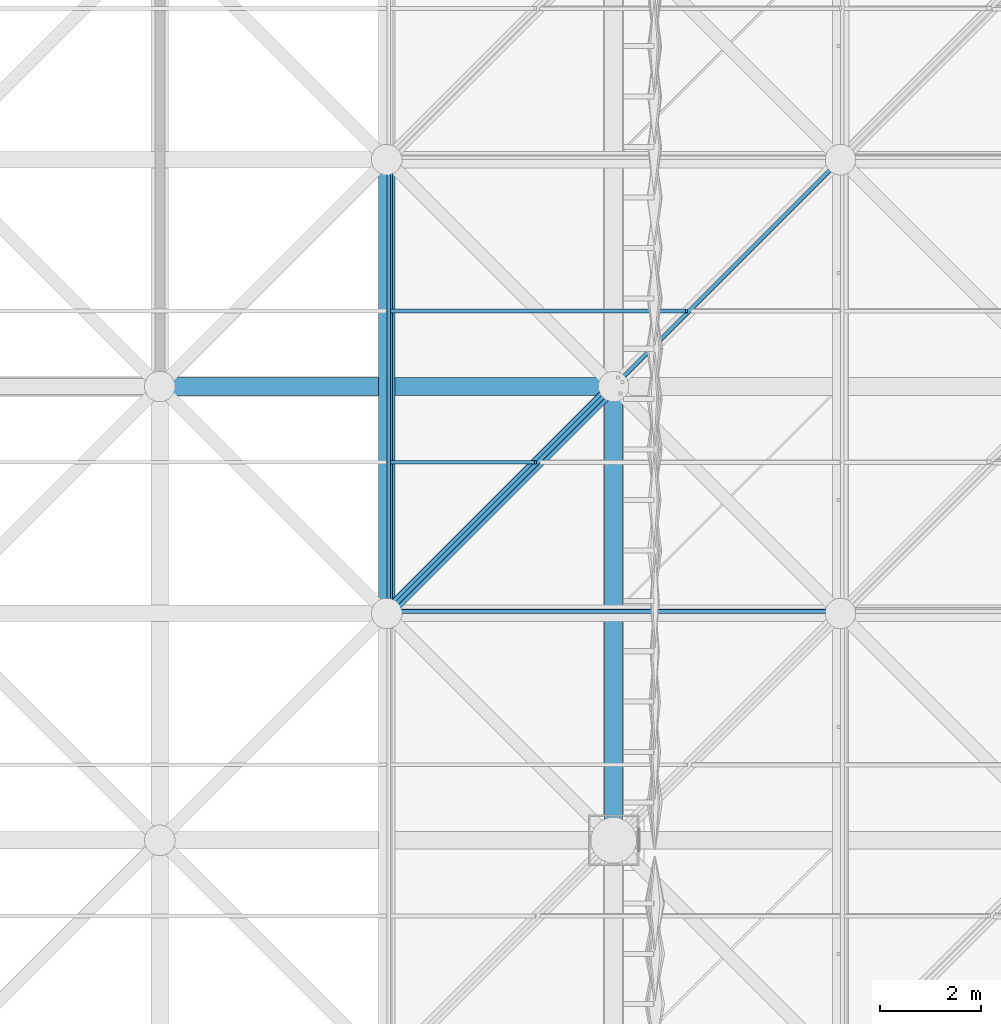
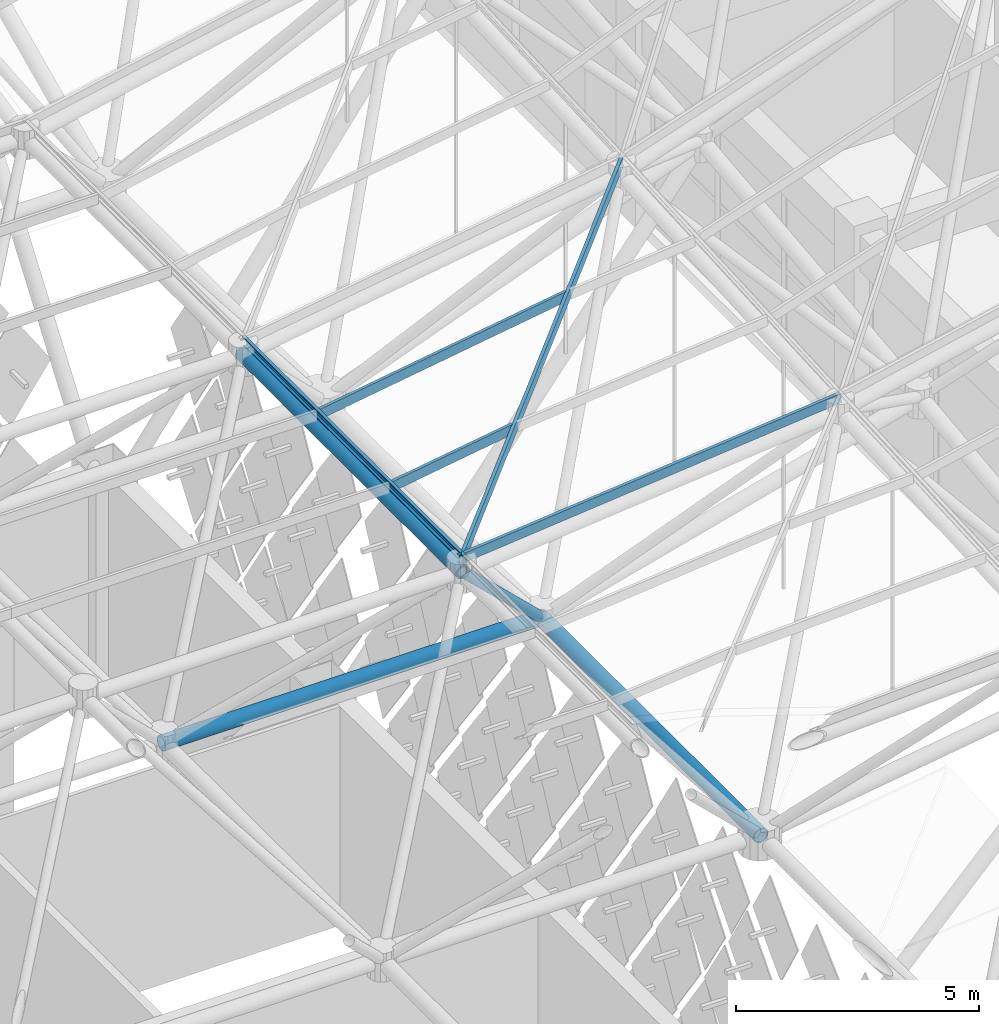
# One storey, part 97 of 437: 9 members.
"""IFC4 building model written with IfcOpenShell, lengths in metres."""

from ifc_helpers import new_model, si_unit, direction, frame, origin, origin_2d, place, context, subcontext, project, spatial, polyline, hollow_circle, outline, extrude, material, material_profile, profile_set, type_object, element, save


model = new_model("IFC4")

# Units and contexts
model_context = context("Model", 3, precision=1e-05, world=origin(), true_north=direction((0.0, 1.0)))
body_context = subcontext(model_context, "Body", "Model", "MODEL_VIEW")
ifc_project = project(units=[si_unit("LENGTHUNIT", "METRE"), si_unit("AREAUNIT", "SQUARE_METRE"), si_unit("VOLUMEUNIT", "CUBIC_METRE"), si_unit("PLANEANGLEUNIT", "RADIAN"), si_unit("MASSUNIT", "GRAM", prefix="KILO")], contexts=[model_context])

# Site, building, storey
site_placement = place(None, origin())
site = spatial("IfcSite", under=ifc_project, at=site_placement, CompositionType="ELEMENT")
building_placement = place(site_placement, origin())
building = spatial("IfcBuilding", under=site, at=building_placement, Name="Opaline Strait Convention Centre", CompositionType="ELEMENT")
storey_placement = place(building_placement, frame((0.0, 0.0, 11.5)))
storey = spatial("IfcBuildingStorey", under=building, at=storey_placement, Name="L02", CompositionType="ELEMENT", Elevation=11.5)

# Members
ifc_material = material(Name="Steel Q355B", Category="steel")
ifc_material_profile_1 = material_profile(ifc_material, outline(polyline([(-0.03759765625, -0.125), (0.03759765625, -0.125), (0.03759765625, -0.10498046875), (0.034912109375, -0.10498046875), (0.034912109375, -0.12255859375), (-0.034912109375, -0.12255859375), (-0.034912109375, 0.12255859375), (0.034912109375, 0.12255859375), (0.034912109375, 0.10498046875), (0.03759765625, 0.10498046875), (0.03759765625, 0.125), (-0.03759765625, 0.125), (-0.03759765625, -0.125)])), Name="C 250x75x20x2.5")
ifc_profile_set_1 = profile_set([ifc_material_profile_1], Name="Steel Q355B")
member_type_1 = type_object("IfcMemberType", Name="Roof purlin C 250x75x20x2.5", PredefinedType="PURLIN", material=ifc_profile_set_1)
member_1_placement = place(storey_placement, frame((256.5, 130.5, 18.255859375), z_axis=(0.702857973456, 0.702857973456, 0.10945929974), x_axis=(-0.704515187221, 0.709082641772, -0.029328452286)))
element("IfcMember", 1, at=member_1_placement, inside=storey, type_object=member_type_1, Name="EXB-RF-F-19-10", PredefinedType="PURLIN", context=body_context, shape_type="SweptSolid", body=[
    extrude(outline(polyline([(-0.03759765625, -0.125), (0.03759765625, -0.125), (0.03759765625, -0.10498046875), (0.034912109375, -0.10498046875), (0.034912109375, -0.12255859375), (-0.034912109375, -0.12255859375), (-0.034912109375, 0.12255859375), (0.034912109375, 0.12255859375), (0.034912109375, 0.10498046875), (0.03759765625, 0.10498046875), (0.03759765625, 0.125), (-0.03759765625, 0.125), (-0.03759765625, -0.125)])), origin(), (0.0, 0.0, 1.0), 12.804931640625),
])
member_2_placement = place(storey_placement, frame((256.449951171875, 130.546875, 18.25537109375), z_axis=(0.99514863855, 0.0, 0.098382860253), x_axis=(-0.005558054974, 0.998402930819, 0.056220065425)))
element("IfcMember", 2, at=member_2_placement, inside=storey, type_object=member_type_1, Name="EXB-RF-E-19-10a", PredefinedType="PURLIN", context=body_context, shape_type="SweptSolid", body=[
    extrude(outline(polyline([(-0.03759765625, -0.125), (0.03759765625, -0.125), (0.03759765625, -0.10498046875), (0.034912109375, -0.10498046875), (0.034912109375, -0.12255859375), (-0.034912109375, -0.12255859375), (-0.034912109375, 0.12255859375), (0.034912109375, 0.12255859375), (0.034912109375, 0.10498046875), (0.03759765625, 0.10498046875), (0.03759765625, 0.125), (-0.03759765625, 0.125), (-0.03759765625, -0.125)])), origin(), (0.0, 0.0, 1.0), 9.14453125),
])
member_3_placement = place(storey_placement, frame((256.558349609375, 130.449951171875, 18.267578125), z_axis=(0.0, 1.0, 0.0), x_axis=(-0.988092083083, 0.0, -0.153863690806)))
element("IfcMember", 3, at=member_3_placement, inside=storey, type_object=member_type_1, Name="EXB-RF-E-19-10b", PredefinedType="PURLIN", context=body_context, shape_type="SweptSolid", body=[
    extrude(outline(polyline([(-0.03759765625, -0.125), (0.03759765625, -0.125), (0.03759765625, -0.10498046875), (0.034912109375, -0.10498046875), (0.034912109375, -0.12255859375), (-0.034912109375, -0.12255859375), (-0.034912109375, 0.12255859375), (0.034912109375, 0.12255859375), (0.034912109375, 0.10498046875), (0.03759765625, 0.10498046875), (0.03759765625, 0.125), (-0.03759765625, 0.125), (-0.03759765625, -0.125)])), origin(), (0.0, 0.0, 1.0), 9.10009765625),
])
member_4_placement = place(storey_placement, frame((256.593017578125, 133.5, 18.27294921875), z_axis=(0.988094799995, 0.0, 0.153846242146), x_axis=(0.0, 1.0, 0.0)))
element("IfcMember", 4, at=member_4_placement, inside=storey, type_object=member_type_1, Name="EXB-RF-P-19-10-0b", PredefinedType="PURLIN", context=body_context, shape_type="SweptSolid", body=[
    extrude(outline(polyline([(-0.03759765625, -0.125), (0.03759765625, -0.125), (0.03759765625, -0.10498046875), (0.034912109375, -0.10498046875), (0.034912109375, -0.12255859375), (-0.034912109375, -0.12255859375), (-0.034912109375, 0.12255859375), (0.034912109375, 0.12255859375), (0.034912109375, 0.10498046875), (0.03759765625, 0.10498046875), (0.03759765625, 0.125), (-0.03759765625, 0.125), (-0.03759765625, -0.125)])), origin(), (0.0, 0.0, 1.0), 2.891357421875),
])
member_5_placement = place(storey_placement, frame((256.593017578125, 136.5, 18.27294921875), z_axis=(0.988090041888, 0.0, 0.15387679852), x_axis=(0.0, 1.0, 0.0)))
element("IfcMember", 5, at=member_5_placement, inside=storey, type_object=member_type_1, Name="EXB-RF-P-19-10-1b", PredefinedType="PURLIN", context=body_context, shape_type="SweptSolid", body=[
    extrude(outline(polyline([(-0.03759765625, -0.125), (0.03759765625, -0.125), (0.03759765625, -0.10498046875), (0.034912109375, -0.10498046875), (0.034912109375, -0.12255859375), (-0.034912109375, -0.12255859375), (-0.034912109375, 0.12255859375), (0.034912109375, 0.12255859375), (0.034912109375, 0.10498046875), (0.03759765625, 0.10498046875), (0.03759765625, 0.125), (-0.03759765625, 0.125), (-0.03759765625, -0.125)])), origin(), (0.0, 0.0, 1.0), 5.927490234375),
])
ifc_material_profile_2 = material_profile(ifc_material, hollow_circle(Radius=0.175537109375, WallThickness=0.01611328125, at=origin_2d()), Name="CHS 351x16")
ifc_profile_set_2 = profile_set([ifc_material_profile_2], Name="Steel Q355B")
member_type_2 = type_object("IfcMemberType", Name="Space frame bottom chord CHS 351x16", PredefinedType="CHORD", material=ifc_profile_set_2)
for number, where, z_axis, x_axis, name in (
    (6, (251.949951171875, 135.0, 12.5), (1.0, 0.0, 0.0), (0.0, 1.0, 0.0), "EXB-RF-BX-18-10"),
    (7, (261.0, 125.949951171875, 12.5), (0.0, 1.0, 0.0), (-1.0, 0.0, 0.0), "EXB-RF-BY-19-9"),
):
    element("IfcMember", number, at=place(storey_placement, frame(where, z_axis=z_axis, x_axis=x_axis)), inside=storey, type_object=member_type_2, Name=name, PredefinedType="CHORD", context=body_context, shape_type="SweptSolid", body=[
        extrude(hollow_circle(Radius=0.175537109375, WallThickness=0.01611328125, at=origin_2d()), origin(), (0.0, 0.0, 1.0), 9.10009765625),
    ])
ifc_material_profile_3 = material_profile(ifc_material, hollow_circle(Radius=0.16259765625, WallThickness=0.02001953125, at=origin_2d()), Name="CHS 325x20")
ifc_profile_set_3 = profile_set([ifc_material_profile_3], Name="Steel Q355B")
member_type_3 = type_object("IfcMemberType", Name="Space frame top chord CHS 325x20", PredefinedType="CHORD", material=ifc_profile_set_3)
member_6_placement = place(storey_placement, frame((256.5, 130.449951171875, 17.971435546875), z_axis=(0.0, 1.0, 0.0), x_axis=(-1.0, 0.0, 0.0)))
element("IfcMember", 8, at=member_6_placement, inside=storey, type_object=member_type_3, Name="EXB-RF-TY-19-10", PredefinedType="CHORD", context=body_context, shape_type="SweptSolid", body=[
    extrude(hollow_circle(Radius=0.16259765625, WallThickness=0.02001953125, at=origin_2d()), origin(), (0.0, 0.0, 1.0), 9.10009765625),
])
ifc_material_profile_4 = material_profile(ifc_material, hollow_circle(Radius=0.12255859375, WallThickness=0.011962890625, at=origin_2d()), Name="CHS 245x12")
ifc_profile_set_4 = profile_set([ifc_material_profile_4], Name="Steel Q355B")
member_type_4 = type_object("IfcMemberType", Name="Space frame web CHS 245x12", PredefinedType="BRACE", material=ifc_profile_set_4)
member_7_placement = place(storey_placement, frame((256.47314453125, 130.47314453125, 18.004150390625), z_axis=(0.536178220346, 0.536178220346, -0.6519400525), x_axis=(-0.707106781187, 0.707106781187, 0.0)))
element("IfcMember", 9, at=member_7_placement, inside=storey, type_object=member_type_4, Name="EXB-RF-W-19-10-00", PredefinedType="BRACE", context=body_context, shape_type="SweptSolid", body=[
    extrude(hollow_circle(Radius=0.12255859375, WallThickness=0.011962890625, at=origin_2d()), origin(), (0.0, 0.0, 1.0), 8.492919921875),
])

save(model, "model.ifc")
